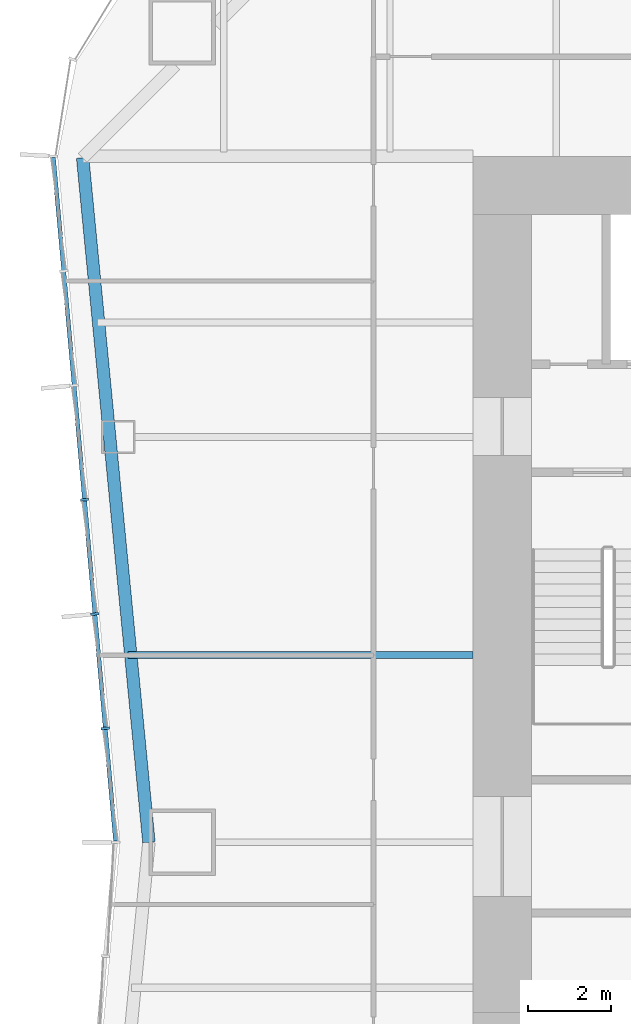
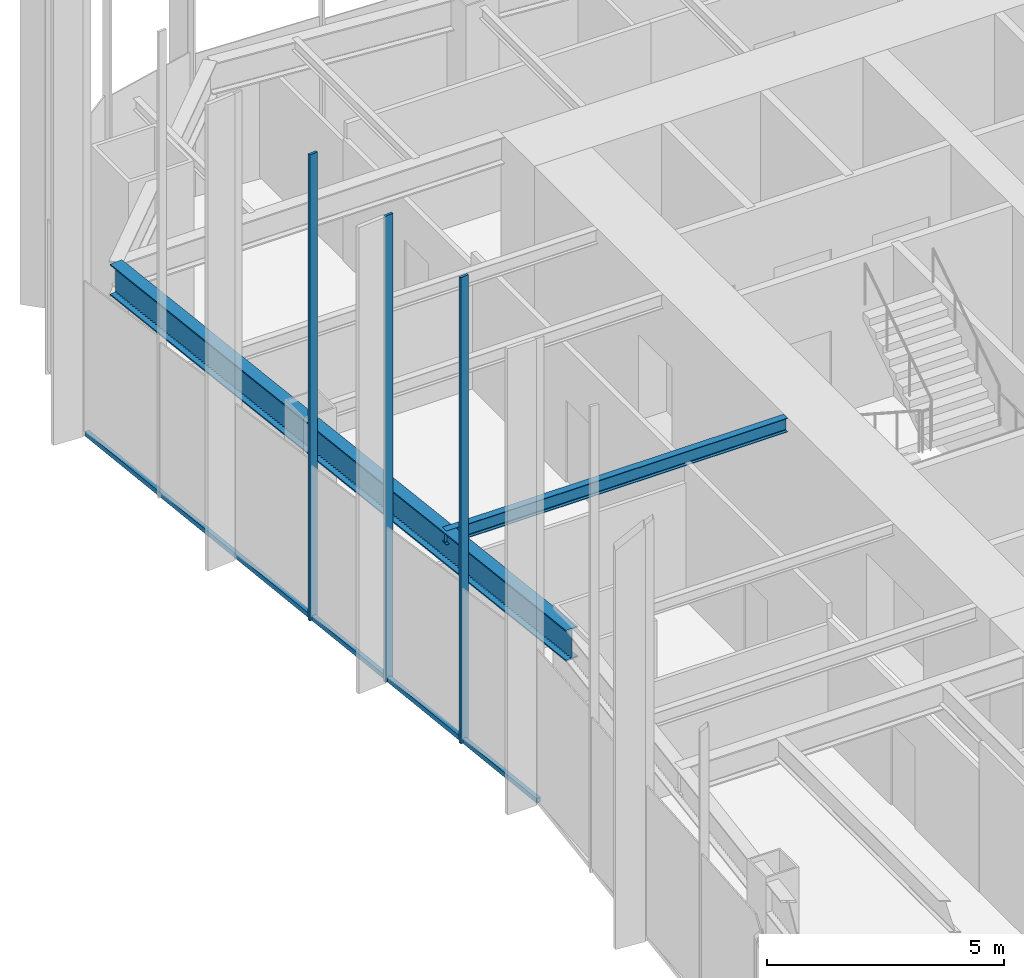
# One storey, part 3 of 13: 4 members, 2 beams, 1 element without a shape of its own.
"""IFC4 building model written with IfcOpenShell, lengths in metres."""

from ifc_helpers import new_model, si_unit, direction, frame, origin, origin_2d, place, context, subcontext, project, spatial, rectangle, i_section, extrude, material, material_profile, profile_set, type_object, element, aggregate, save


model = new_model("IFC4")

# Units and contexts
model_context = context("Model", 3, precision=1e-05, world=origin(), true_north=direction((0.0, 1.0)))
body_context = subcontext(model_context, "Body", "Model", "MODEL_VIEW")
ifc_project = project(units=[si_unit("LENGTHUNIT", "METRE"), si_unit("AREAUNIT", "SQUARE_METRE"), si_unit("VOLUMEUNIT", "CUBIC_METRE"), si_unit("PLANEANGLEUNIT", "RADIAN"), si_unit("MASSUNIT", "GRAM", prefix="KILO")], contexts=[model_context])

# Site, building, storey
site_placement = place(None, origin())
site = spatial("IfcSite", under=ifc_project, at=site_placement, CompositionType="ELEMENT")
building_placement = place(site_placement, origin())
building = spatial("IfcBuilding", under=site, at=building_placement, Name="Verdant Reach Tower", CompositionType="ELEMENT")
storey_placement = place(building_placement, frame((0.0, 0.0, 14.0)))
storey = spatial("IfcBuildingStorey", under=building, at=storey_placement, Name="L02", CompositionType="ELEMENT", Elevation=14.0)

# Curtain wall, members
ifc_material_1 = material(Name="Anodised aluminium", Category="aluminium")
curtain_wall_type = type_object("IfcCurtainWallType", Name="EN-CW SYSTEM Z0", PredefinedType="NOTDEFINED", material=ifc_material_1)
curtain_wall_placement = place(storey_placement, origin())
curtain_wall = element("IfcCurtainWall", 1, at=curtain_wall_placement, inside=storey, type_object=curtain_wall_type, Name="Curtain wall west, L02", PredefinedType="NOTDEFINED")
ifc_material_profile_1 = material_profile(ifc_material_1, rectangle(XDim=0.199951171875, YDim=0.06005859375, at=origin_2d()), Name="Mullion 60x200")
ifc_profile_set_1 = profile_set([ifc_material_profile_1], Name="Anodised aluminium")
member_type_1 = type_object("IfcMemberType", Name="EN-MULLION Z0", PredefinedType="MULLION", material=ifc_profile_set_1)
member_1_placement = place(storey_placement, frame((-23.349609375, 30.740966796875, -0.35009765625), z_axis=(0.0, 0.0, 1.0), x_axis=(-0.995893206467, -0.090535746047, 0.0)))
member_1 = element("IfcMember", 2, at=member_1_placement, type_object=member_type_1, Name="Mullion west face part 1 4, L02", PredefinedType="MULLION", context=body_context, shape_type="SweptSolid", body=[
    extrude(rectangle(XDim=0.199951171875, YDim=0.06005859375, at=origin_2d()), origin(), (0.0, 0.0, 1.0), 12.0),
])
member_2_placement = place(storey_placement, frame((-23.099609375, 27.990966796875, -0.35009765625), z_axis=(0.0, 0.0, 1.0), x_axis=(-0.995893206467, -0.090535746047, 0.0)))
member_2 = element("IfcMember", 3, at=member_2_placement, type_object=member_type_1, Name="Mullion west face part 1 5, L02", PredefinedType="MULLION", context=body_context, shape_type="SweptSolid", body=[
    extrude(rectangle(XDim=0.199951171875, YDim=0.06005859375, at=origin_2d()), origin(), (0.0, 0.0, 1.0), 12.0),
])
member_3_placement = place(storey_placement, frame((-22.849609375, 25.240966796875, -0.35009765625), z_axis=(0.0, 0.0, 1.0), x_axis=(-0.995893206467, -0.090535746047, 0.0)))
member_3 = element("IfcMember", 4, at=member_3_placement, type_object=member_type_1, Name="Mullion west face part 1 6, L02", PredefinedType="MULLION", context=body_context, shape_type="SweptSolid", body=[
    extrude(rectangle(XDim=0.199951171875, YDim=0.06005859375, at=origin_2d()), origin(), (0.0, 0.0, 1.0), 12.0),
])
ifc_material_profile_2 = material_profile(ifc_material_1, rectangle(XDim=0.10009765625, YDim=0.1201171875, at=origin_2d()), Name="Transom 120x100")
ifc_profile_set_2 = profile_set([ifc_material_profile_2], Name="Anodised aluminium")
member_type_2 = type_object("IfcMemberType", Name="EN-TRANSOM Z0", PredefinedType="USERDEFINED", material=ifc_profile_set_2)
member_4_placement = place(storey_placement, frame((-24.09716796875, 38.975341796875, -0.2900390625), z_axis=(0.090495755184, -0.995896841191, 0.0), x_axis=(0.995896841191, 0.090495755184, 0.0)))
member_4 = element("IfcMember", 5, at=member_4_placement, type_object=member_type_2, Name="Transom west face part 1 1.1, L02", ObjectType="TRANSOM", PredefinedType="USERDEFINED", context=body_context, shape_type="SweptSolid", body=[
    extrude(rectangle(XDim=0.10009765625, YDim=0.1201171875, at=origin_2d()), origin(), (0.0, 0.0, 1.0), 16.513427734375),
])
aggregate(curtain_wall, [member_1, member_2, member_3, member_4])

# Beams
ifc_material_2 = material(Name="Steel S355", Category="steel")
ifc_material_profile_3 = material_profile(ifc_material_2, i_section(OverallWidth=0.169921875, OverallDepth=0.360107421875, WebThickness=0.008056640625, FlangeThickness=0.0126953125, FilletRadius=0.01806640625, at=origin_2d()), Name="IPE 360")
ifc_profile_set_3 = profile_set([ifc_material_profile_3], Name="Steel S355")
beam_type_1 = type_object("IfcBeamType", Name="ST-JOIST-IPE360", PredefinedType="JOIST", material=ifc_profile_set_3)
beam_1_placement = place(storey_placement, frame((-14.0, 27.0, 3.68994140625), z_axis=(-1.0, 0.0, 0.0), x_axis=(0.0, -1.0, 0.0)))
element("IfcBeam", 6, at=beam_1_placement, inside=storey, type_object=beam_type_1, Name="Floor joist, L02", PredefinedType="JOIST", context=body_context, shape_type="SweptSolid", body=[
    extrude(i_section(OverallWidth=0.169921875, OverallDepth=0.360107421875, WebThickness=0.008056640625, FlangeThickness=0.0126953125, FilletRadius=0.01806640625, at=origin_2d()), origin(), (0.0, 0.0, 1.0), 8.306640625),
])
ifc_material_profile_4 = material_profile(ifc_material_2, i_section(OverallWidth=0.300048828125, OverallDepth=0.800048828125, WebThickness=0.017578125, FlangeThickness=0.032958984375, FilletRadius=0.030029296875, at=origin_2d()), Name="HEB 800")
ifc_profile_set_4 = profile_set([ifc_material_profile_4], Name="Steel S355")
beam_type_2 = type_object("IfcBeamType", Name="ST-SPANDREL-HEB800", PredefinedType="SPANDREL", material=ifc_profile_set_4)
beam_2_placement = place(storey_placement, frame((-21.800048828125, 22.5, 3.469970703125), z_axis=(-0.096372296695, 0.995345357366, 0.0), x_axis=(-0.995345357366, -0.096372296695, 0.0)))
element("IfcBeam", 7, at=beam_2_placement, inside=storey, type_object=beam_type_2, Name="Edge beam, L02", PredefinedType="SPANDREL", context=body_context, shape_type="SweptSolid", body=[
    extrude(i_section(OverallWidth=0.300048828125, OverallDepth=0.800048828125, WebThickness=0.017578125, FlangeThickness=0.032958984375, FilletRadius=0.030029296875, at=origin_2d()), origin(), (0.0, 0.0, 1.0), 16.544921875),
])

save(model, "model.ifc")
